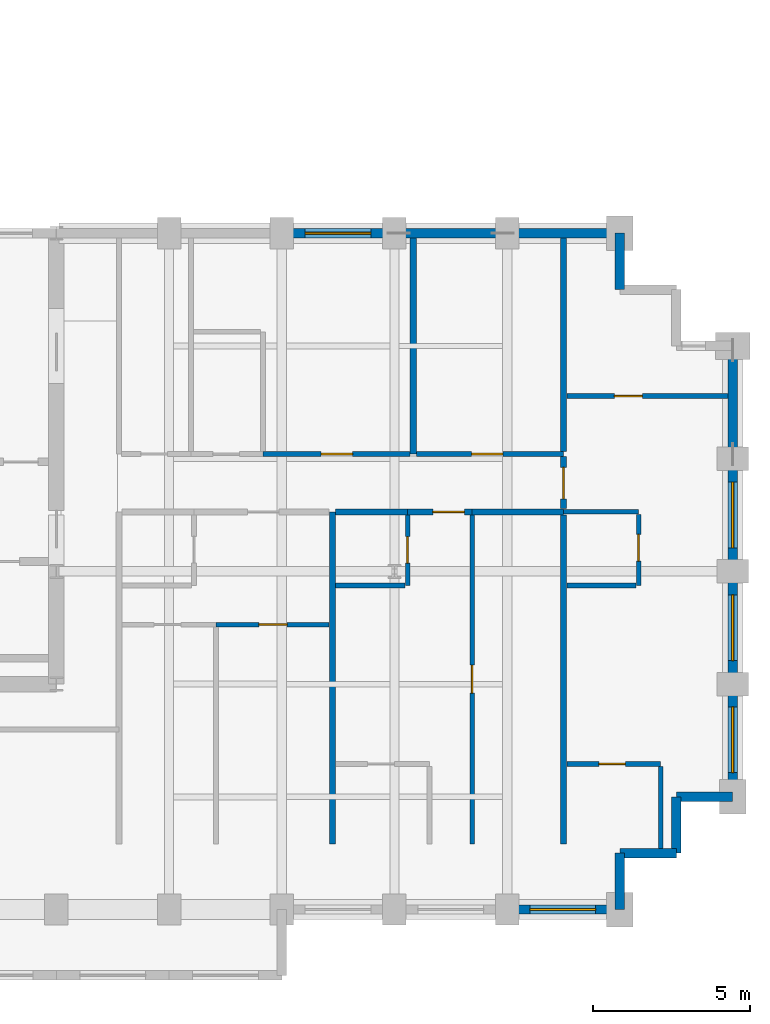
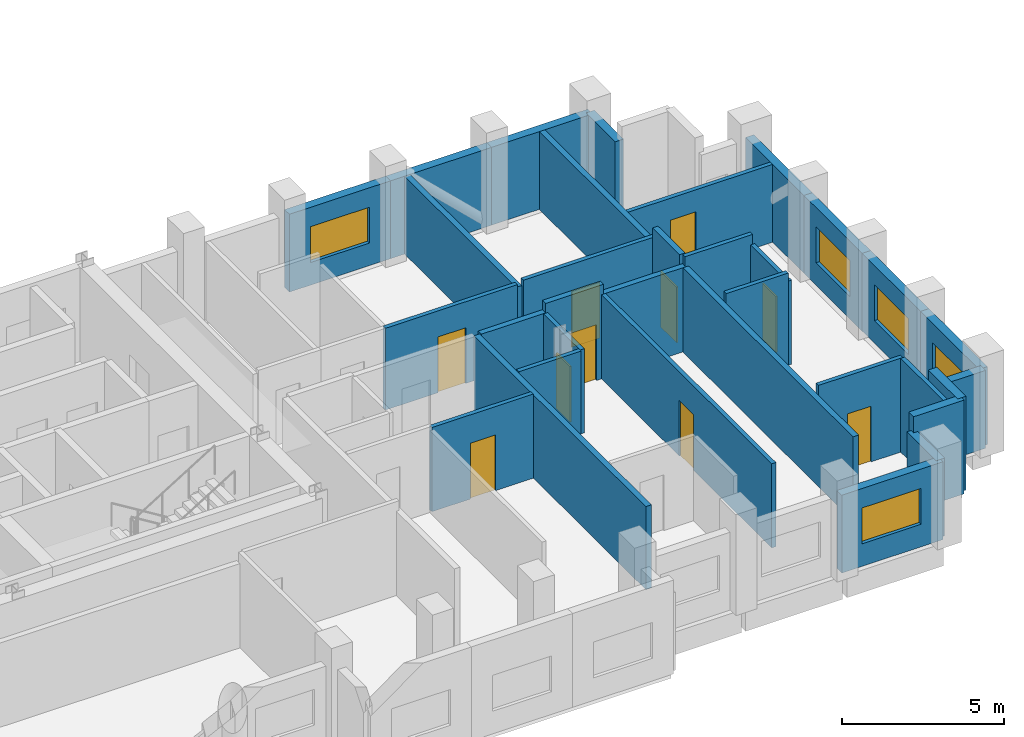
# One storey, part 6 of 9: 33 walls, 10 doors, 5 windows, 15 openings.
"""IFC4 building model written with IfcOpenShell, lengths in metres."""

from ifc_helpers import new_model, si_unit, direction, frame, frame_2d, origin, place, context, subcontext, project, spatial, rectangle, extrude, material, layer, layer_set, type_object, element, fill, save


model = new_model("IFC4")

# Units and contexts
model_context = context("Model", 3, precision=1e-05, world=origin(), true_north=direction((0.0, 1.0)))
body_context = subcontext(model_context, "Body", "Model", "MODEL_VIEW")
ifc_project = project(units=[si_unit("LENGTHUNIT", "METRE"), si_unit("AREAUNIT", "SQUARE_METRE"), si_unit("VOLUMEUNIT", "CUBIC_METRE"), si_unit("PLANEANGLEUNIT", "RADIAN"), si_unit("MASSUNIT", "GRAM", prefix="KILO")], contexts=[model_context])

# Site, building, storey
site_placement = place(None, origin())
site = spatial("IfcSite", under=ifc_project, at=site_placement, CompositionType="ELEMENT")
building_placement = place(site_placement, origin())
building = spatial("IfcBuilding", under=site, at=building_placement, Name="Solnavia Interchange Tower", CompositionType="ELEMENT")
storey_placement = place(building_placement, frame((0.0, 0.0, 139.0)))
storey = spatial("IfcBuildingStorey", under=building, at=storey_placement, Name="L34", CompositionType="ELEMENT", Elevation=139.0)

# Walls
ifc_material_1 = material(Name="Gypsum Acoustic Twin-Stud & Mineral Wool", Category="gypsum")
ifc_layer_1 = layer(ifc_material_1, 0.199951171875)
ifc_layer_set_1 = layer_set([ifc_layer_1], Name="Gypsum Acoustic Twin-Stud & Mineral Wool")
wall_type_1 = type_object("IfcWallType", Name="Wall-ApartmentParty-200", PredefinedType="PARTITIONING", material=ifc_layer_set_1)
wall_1_placement = place(storey_placement, frame((41.219970703125, 5.699951171875, 0.0), z_axis=(0.0, 0.0, 1.0), x_axis=(0.0, 1.0, 0.0)))
element("IfcWall", 1, at=wall_1_placement, inside=storey, type_object=wall_type_1, Name="PTW-L34-16 Interior partition wall", PredefinedType="PARTITIONING", context=body_context, shape_type="SweptSolid", body=[
    extrude(rectangle(XDim=10.60009765625, YDim=0.199951171875, at=frame_2d((5.300048828125, 0.0))), origin(), (0.0, 0.0, 1.0), 3.1298828125),
])
wall_2_placement = place(storey_placement, frame((41.323974609375, 16.300048828125, 0.0), z_axis=(0.0, 0.0, 1.0), x_axis=(1.0, 0.0, 0.0)))
element("IfcWall", 2, at=wall_2_placement, inside=storey, type_object=wall_type_1, Name="PTW-L34-24 Interior partition wall", PredefinedType="PARTITIONING", context=body_context, shape_type="SweptSolid", body=[
    extrude(rectangle(XDim=2.296142578125, YDim=0.199951171875, at=frame_2d((1.14794921875, 0.0))), origin(), (0.0, 0.0, 1.0), 3.179931640625),
])

# Wall, opening, door
wall_3_placement = place(storey_placement, frame((43.6201171875, 16.300048828125, 0.0), z_axis=(0.0, 0.0, 1.0), x_axis=(1.0, 0.0, 0.0)))
wall_3 = element("IfcWall", 3, at=wall_3_placement, inside=storey, type_object=wall_type_1, Name="PTW-L34-27 Interior partition wall", PredefinedType="PARTITIONING", context=body_context, shape_type="SweptSolid", body=[
    extrude(rectangle(XDim=2.059814453125, YDim=0.199951171875, at=frame_2d((1.02978515625, 0.0))), origin(), (0.0, 0.0, 1.0), 3.534912109375),
])
opening_1_placement = place(wall_3_placement, frame((0.81005859375, 0.0, 0.0)))
opening_1 = element("IfcOpeningElement", 4, at=opening_1_placement, cuts=wall_3, Name="Opening DR-06", PredefinedType="OPENING", context=body_context, shape_type="SweptSolid", body=[
    extrude(rectangle(XDim=1.0, YDim=2.10009765625, at=frame_2d((0.5, 1.050048828125))), frame((0.0, 0.10986328125, 0.0), z_axis=(0.0, -1.0, 0.0), x_axis=(1.0, 0.0, 0.0)), (0.0, 0.0, 1.0), 0.219970703125),
])
ifc_material_2 = material(Name="Engineered Timber Acoustic Fire Door", Category="wood")
door_type_1 = type_object("IfcDoorType", Name="Door-FlatEntry-1000x2100", OperationType="SINGLE_SWING_LEFT", PredefinedType="DOOR", material=ifc_material_2)
door_1_placement = place(opening_1_placement, origin())
door_1 = element("IfcDoor", 5, at=door_1_placement, inside=storey, type_object=door_type_1, Name="DR-L34-12 Interior room door", OperationType="SINGLE_SWING_LEFT", OverallHeight=2.10009765625, OverallWidth=1.0, PredefinedType="DOOR", context=body_context, shape_type="SweptSolid", body=[
    extrude(rectangle(XDim=1.0, YDim=2.10009765625, at=frame_2d((0.5, 1.050048828125))), frame((0.0, 0.02490234375, 0.0), z_axis=(0.0, -1.0, 0.0), x_axis=(1.0, 0.0, 0.0)), (0.0, 0.0, 1.0), 0.050048828125),
])
fill(opening_1, door_1)

# Walls
wall_4_placement = place(storey_placement, frame((45.679931640625, 16.300048828125, 0.0), z_axis=(0.0, 0.0, 1.0), x_axis=(1.0, 0.0, 0.0)))
element("IfcWall", 6, at=wall_4_placement, inside=storey, type_object=wall_type_1, Name="PTW-L34-28 Interior partition wall", PredefinedType="PARTITIONING", context=body_context, shape_type="SweptSolid", body=[
    extrude(rectangle(XDim=2.920166015625, YDim=0.199951171875, at=frame_2d((1.4599609375, 0.0))), origin(), (0.0, 0.0, 1.0), 3.169921875),
])
wall_5_placement = place(storey_placement, frame((43.800048828125, 18.14990234375, 0.0), z_axis=(0.0, 0.0, 1.0), x_axis=(0.0, 1.0, 0.0)))
element("IfcWall", 7, at=wall_5_placement, inside=storey, type_object=wall_type_1, Name="PTW-L34-32 Interior partition wall", PredefinedType="PARTITIONING", context=body_context, shape_type="SweptSolid", body=[
    extrude(rectangle(XDim=6.89599609375, YDim=0.199951171875, at=frame_2d((3.447998046875, 0.0))), origin(), (0.0, 0.0, 1.0), 2.929931640625),
])
wall_6_placement = place(storey_placement, frame((48.60009765625, 5.699951171875, 0.0), z_axis=(0.0, 0.0, 1.0), x_axis=(0.0, 1.0, 0.0)))
element("IfcWall", 8, at=wall_6_placement, inside=storey, type_object=wall_type_1, Name="PTW-L34-35 Interior partition wall", PredefinedType="PARTITIONING", context=body_context, shape_type="SweptSolid", body=[
    extrude(rectangle(XDim=10.49609375, YDim=0.199951171875, at=frame_2d((5.248046875, 0.0))), origin(), (0.0, 0.0, 1.0), 3.169921875),
])
wall_7_placement = place(storey_placement, frame((48.60009765625, 18.22900390625, 0.0), z_axis=(0.0, 0.0, 1.0), x_axis=(0.0, 1.0, 0.0)))
element("IfcWall", 9, at=wall_7_placement, inside=storey, type_object=wall_type_1, Name="PTW-L34-36 Interior partition wall", PredefinedType="PARTITIONING", context=body_context, shape_type="SweptSolid", body=[
    extrude(rectangle(XDim=6.81689453125, YDim=0.199951171875, at=frame_2d((3.408447265625, 0.0))), origin(), (0.0, 0.0, 1.0), 2.929931640625),
])

# Wall, opening, door
wall_8_placement = place(storey_placement, frame((48.60009765625, 16.404052734375, 0.0), z_axis=(0.0, 0.0, 1.0), x_axis=(0.0, 1.0, 0.0)))
wall_8 = element("IfcWall", 10, at=wall_8_placement, inside=storey, type_object=wall_type_1, Name="PTW-L34-37 Interior partition wall", PredefinedType="PARTITIONING", context=body_context, shape_type="SweptSolid", body=[
    extrude(rectangle(XDim=1.6669921875, YDim=0.199951171875, at=frame_2d((0.83349609375, 0.0))), origin(), (0.0, 0.0, 1.0), 3.534912109375),
])
opening_2_placement = place(wall_8_placement, frame((0.31396484375, 0.0, 0.0)))
opening_2 = element("IfcOpeningElement", 11, at=opening_2_placement, cuts=wall_8, Name="Opening DR-06", PredefinedType="OPENING", context=body_context, shape_type="SweptSolid", body=[
    extrude(rectangle(XDim=1.0, YDim=2.10009765625, at=frame_2d((0.5, 1.050048828125))), frame((0.0, 0.10986328125, 0.0), z_axis=(0.0, -1.0, 0.0), x_axis=(1.0, 0.0, 0.0)), (0.0, 0.0, 1.0), 0.219970703125),
])
door_2_placement = place(opening_2_placement, origin())
door_2 = element("IfcDoor", 12, at=door_2_placement, inside=storey, type_object=door_type_1, Name="DR-L34-17 Interior room door", OperationType="SINGLE_SWING_RIGHT", OverallHeight=2.10009765625, OverallWidth=1.0, PredefinedType="DOOR", context=body_context, shape_type="SweptSolid", body=[
    extrude(rectangle(XDim=1.0, YDim=2.10009765625, at=frame_2d((0.5, 1.050048828125))), frame((0.0, 0.02490234375, 0.0), z_axis=(0.0, -1.0, 0.0), x_axis=(1.0, 0.0, 0.0)), (0.0, 0.0, 1.0), 0.050048828125),
])
fill(opening_2, door_2)

# Wall, opening, window
ifc_material_3 = material(Name="Concrete C40/50", Category="concrete")
ifc_layer_2 = layer(ifc_material_3, 0.300048828125)
ifc_layer_set_2 = layer_set([ifc_layer_2], Name="Concrete C40/50")
wall_type_2 = type_object("IfcWallType", Name="Wall-ExtSpandrel-300", PredefinedType="STANDARD", material=ifc_layer_set_2)
wall_9_placement = place(storey_placement, frame((50.39990234375, 3.60009765625, 0.0), z_axis=(0.0, 0.0, 1.0), x_axis=(-1.0, 0.0, 0.0)))
wall_9 = element("IfcWall", 13, at=wall_9_placement, inside=storey, type_object=wall_type_2, Name="EXW-L34-09 Exterior precast spandrel wall", PredefinedType="STANDARD", context=body_context, shape_type="SweptSolid", body=[
    extrude(rectangle(XDim=3.599853515625, YDim=0.300048828125, at=frame_2d((1.7998046875, 0.0))), origin(), (0.0, 0.0, 1.0), 2.929931640625),
])
opening_3_placement = place(wall_9_placement, frame((0.77490234375, 0.0, 0.85009765625)))
opening_3 = element("IfcOpeningElement", 14, at=opening_3_placement, cuts=wall_9, Name="Opening WIN-01", PredefinedType="OPENING", context=body_context, shape_type="SweptSolid", body=[
    extrude(rectangle(XDim=2.10009765625, YDim=1.35009765625, at=frame_2d((1.050048828125, 0.675048828125))), frame((0.0, 0.16015625, 0.0), z_axis=(0.0, -1.0, 0.0), x_axis=(1.0, 0.0, 0.0)), (0.0, 0.0, 1.0), 0.320068359375),
])
ifc_material_4 = material(Name="Thermal-Break Aluminium & Low-E Glass", Category="aluminium")
window_type = type_object("IfcWindowType", Name="Window-Ribbon-2100x1350", PartitioningType="SINGLE_PANEL", PredefinedType="WINDOW", material=ifc_material_4)
window_1_placement = place(opening_3_placement, origin())
window_1 = element("IfcWindow", 15, at=window_1_placement, inside=storey, type_object=window_type, Name="WIN-L34-09 Facade ribbon window", OverallHeight=1.35009765625, OverallWidth=2.10009765625, PartitioningType="SINGLE_PANEL", PredefinedType="WINDOW", context=body_context, shape_type="SweptSolid", body=[
    extrude(rectangle(XDim=2.10009765625, YDim=1.35009765625, at=frame_2d((1.050048828125, 0.675048828125))), frame((0.0, 0.030029296875, 0.0), z_axis=(0.0, -1.0, 0.0), x_axis=(1.0, 0.0, 0.0)), (0.0, 0.0, 1.0), 0.06005859375),
])
fill(opening_3, window_1)

# Walls
wall_10_placement = place(storey_placement, frame((50.39990234375, 5.39990234375, 0.0), z_axis=(0.0, 0.0, 1.0), x_axis=(0.0, -1.0, 0.0)))
element("IfcWall", 16, at=wall_10_placement, inside=storey, type_object=wall_type_2, Name="EXW-L34-10 Exterior precast spandrel wall", PredefinedType="STANDARD", context=body_context, shape_type="SweptSolid", body=[
    extrude(rectangle(XDim=1.7998046875, YDim=0.300048828125, at=frame_2d((0.89990234375, 0.0))), origin(), (0.0, 0.0, 1.0), 2.929931640625),
])
for number, where, z_axis, x_axis, name in (
    (17, (52.199951171875, 5.39990234375, 0.0), (0.0, 0.0, 1.0), (-1.0, 0.0, 0.0), "EXW-L34-11 Exterior precast spandrel wall"),
    (18, (52.199951171875, 7.199951171875, 0.0), (0.0, 0.0, 1.0), (0.0, -1.0, 0.0), "EXW-L34-12 Exterior precast spandrel wall"),
):
    element("IfcWall", number, at=place(storey_placement, frame(where, z_axis=z_axis, x_axis=x_axis)), inside=storey, type_object=wall_type_2, Name=name, PredefinedType="STANDARD", context=body_context, shape_type="SweptSolid", body=[
        extrude(rectangle(XDim=1.800048828125, YDim=0.300048828125, at=frame_2d((0.89990234375, 0.0))), origin(), (0.0, 0.0, 1.0), 3.534912109375),
    ])
wall_11_placement = place(storey_placement, frame((54.0, 7.199951171875, 0.0), z_axis=(0.0, 0.0, 1.0), x_axis=(-1.0, 0.0, 0.0)))
element("IfcWall", 19, at=wall_11_placement, inside=storey, type_object=wall_type_2, Name="EXW-L34-13 Exterior precast spandrel wall", PredefinedType="STANDARD", context=body_context, shape_type="SweptSolid", body=[
    extrude(rectangle(XDim=1.800048828125, YDim=0.300048828125, at=frame_2d((0.89990234375, 0.0))), origin(), (0.0, 0.0, 1.0), 2.929931640625),
])

# Wall, opening, window
wall_12_placement = place(storey_placement, frame((54.0, 10.800048828125, 0.0), z_axis=(0.0, 0.0, 1.0), x_axis=(0.0, -1.0, 0.0)))
wall_12 = element("IfcWall", 20, at=wall_12_placement, inside=storey, type_object=wall_type_2, Name="EXW-L34-14 Exterior precast spandrel wall", PredefinedType="STANDARD", context=body_context, shape_type="SweptSolid", body=[
    extrude(rectangle(XDim=3.60009765625, YDim=0.300048828125, at=frame_2d((1.800048828125, 0.0))), origin(), (0.0, 0.0, 1.0), 2.929931640625),
])
opening_4_placement = place(wall_12_placement, frame((0.72509765625, 0.0, 0.85009765625)))
opening_4 = element("IfcOpeningElement", 21, at=opening_4_placement, cuts=wall_12, Name="Opening WIN-01", PredefinedType="OPENING", context=body_context, shape_type="SweptSolid", body=[
    extrude(rectangle(XDim=2.10009765625, YDim=1.35009765625, at=frame_2d((1.050048828125, 0.675048828125))), frame((0.0, 0.16015625, 0.0), z_axis=(0.0, -1.0, 0.0), x_axis=(1.0, 0.0, 0.0)), (0.0, 0.0, 1.0), 0.320068359375),
])
window_2_placement = place(opening_4_placement, origin())
window_2 = element("IfcWindow", 22, at=window_2_placement, inside=storey, type_object=window_type, Name="WIN-L34-14 Facade ribbon window", OverallHeight=1.35009765625, OverallWidth=2.10009765625, PartitioningType="SINGLE_PANEL", PredefinedType="WINDOW", context=body_context, shape_type="SweptSolid", body=[
    extrude(rectangle(XDim=2.10009765625, YDim=1.35009765625, at=frame_2d((1.050048828125, 0.675048828125))), frame((0.0, 0.030029296875, 0.0), z_axis=(0.0, -1.0, 0.0), x_axis=(1.0, 0.0, 0.0)), (0.0, 0.0, 1.0), 0.06005859375),
])
fill(opening_4, window_2)

wall_13_placement = place(storey_placement, frame((54.0, 14.39990234375, 0.0), z_axis=(0.0, 0.0, 1.0), x_axis=(0.0, -1.0, 0.0)))
wall_13 = element("IfcWall", 23, at=wall_13_placement, inside=storey, type_object=wall_type_2, Name="EXW-L34-15 Exterior precast spandrel wall", PredefinedType="STANDARD", context=body_context, shape_type="SweptSolid", body=[
    extrude(rectangle(XDim=3.599853515625, YDim=0.300048828125, at=frame_2d((1.7998046875, 0.0))), origin(), (0.0, 0.0, 1.0), 2.929931640625),
])
opening_5_placement = place(wall_13_placement, frame((0.75, 0.0, 0.85009765625)))
opening_5 = element("IfcOpeningElement", 24, at=opening_5_placement, cuts=wall_13, Name="Opening WIN-01", PredefinedType="OPENING", context=body_context, shape_type="SweptSolid", body=[
    extrude(rectangle(XDim=2.10009765625, YDim=1.35009765625, at=frame_2d((1.050048828125, 0.675048828125))), frame((0.0, 0.16015625, 0.0), z_axis=(0.0, -1.0, 0.0), x_axis=(1.0, 0.0, 0.0)), (0.0, 0.0, 1.0), 0.320068359375),
])
window_3_placement = place(opening_5_placement, origin())
window_3 = element("IfcWindow", 25, at=window_3_placement, inside=storey, type_object=window_type, Name="WIN-L34-15 Facade ribbon window", OverallHeight=1.35009765625, OverallWidth=2.10009765625, PartitioningType="SINGLE_PANEL", PredefinedType="WINDOW", context=body_context, shape_type="SweptSolid", body=[
    extrude(rectangle(XDim=2.10009765625, YDim=1.35009765625, at=frame_2d((1.050048828125, 0.675048828125))), frame((0.0, 0.030029296875, 0.0), z_axis=(0.0, -1.0, 0.0), x_axis=(1.0, 0.0, 0.0)), (0.0, 0.0, 1.0), 0.06005859375),
])
fill(opening_5, window_3)

wall_14_placement = place(storey_placement, frame((54.0, 18.0, 0.0), z_axis=(0.0, 0.0, 1.0), x_axis=(0.0, -1.0, 0.0)))
wall_14 = element("IfcWall", 26, at=wall_14_placement, inside=storey, type_object=wall_type_2, Name="EXW-L34-16 Exterior precast spandrel wall", PredefinedType="STANDARD", context=body_context, shape_type="SweptSolid", body=[
    extrude(rectangle(XDim=3.60009765625, YDim=0.300048828125, at=frame_2d((1.800048828125, 0.0))), origin(), (0.0, 0.0, 1.0), 2.929931640625),
])
opening_6_placement = place(wall_14_placement, frame((0.75, 0.0, 0.85009765625)))
opening_6 = element("IfcOpeningElement", 27, at=opening_6_placement, cuts=wall_14, Name="Opening WIN-01", PredefinedType="OPENING", context=body_context, shape_type="SweptSolid", body=[
    extrude(rectangle(XDim=2.10009765625, YDim=1.35009765625, at=frame_2d((1.050048828125, 0.675048828125))), frame((0.0, 0.16015625, 0.0), z_axis=(0.0, -1.0, 0.0), x_axis=(1.0, 0.0, 0.0)), (0.0, 0.0, 1.0), 0.320068359375),
])
window_4_placement = place(opening_6_placement, origin())
window_4 = element("IfcWindow", 28, at=window_4_placement, inside=storey, type_object=window_type, Name="WIN-L34-16 Facade ribbon window", OverallHeight=1.35009765625, OverallWidth=2.10009765625, PartitioningType="SINGLE_PANEL", PredefinedType="WINDOW", context=body_context, shape_type="SweptSolid", body=[
    extrude(rectangle(XDim=2.10009765625, YDim=1.35009765625, at=frame_2d((1.050048828125, 0.675048828125))), frame((0.0, 0.030029296875, 0.0), z_axis=(0.0, -1.0, 0.0), x_axis=(1.0, 0.0, 0.0)), (0.0, 0.0, 1.0), 0.06005859375),
])
fill(opening_6, window_4)

# Walls
wall_15_placement = place(storey_placement, frame((54.0, 21.60009765625, 0.0), z_axis=(0.0, 0.0, 1.0), x_axis=(0.0, -1.0, 0.0)))
element("IfcWall", 29, at=wall_15_placement, inside=storey, type_object=wall_type_2, Name="EXW-L34-17 Exterior precast spandrel wall", PredefinedType="STANDARD", context=body_context, shape_type="SweptSolid", body=[
    extrude(rectangle(XDim=3.60009765625, YDim=0.300048828125, at=frame_2d((1.800048828125, 0.0))), origin(), (0.0, 0.0, 1.0), 2.929931640625),
])
wall_16_placement = place(storey_placement, frame((50.39990234375, 25.199951171875, 0.0), z_axis=(0.0, 0.0, 1.0), x_axis=(0.0, -1.0, 0.0)))
element("IfcWall", 30, at=wall_16_placement, inside=storey, type_object=wall_type_2, Name="EXW-L34-21 Exterior precast spandrel wall", PredefinedType="STANDARD", context=body_context, shape_type="SweptSolid", body=[
    extrude(rectangle(XDim=1.800048828125, YDim=0.300048828125, at=frame_2d((0.89990234375, 0.0))), origin(), (0.0, 0.0, 1.0), 2.929931640625),
])
wall_17_placement = place(storey_placement, frame((46.800048828125, 25.199951171875, 0.0), z_axis=(0.0, 0.0, 1.0), x_axis=(1.0, 0.0, 0.0)))
element("IfcWall", 31, at=wall_17_placement, inside=storey, type_object=wall_type_2, Name="EXW-L34-22 Exterior precast spandrel wall", PredefinedType="STANDARD", context=body_context, shape_type="SweptSolid", body=[
    extrude(rectangle(XDim=3.599853515625, YDim=0.300048828125, at=frame_2d((1.7998046875, 0.0))), origin(), (0.0, 0.0, 1.0), 2.929931640625),
])
wall_18_placement = place(storey_placement, frame((43.199951171875, 25.199951171875, 0.0), z_axis=(0.0, 0.0, 1.0), x_axis=(1.0, 0.0, 0.0)))
element("IfcWall", 32, at=wall_18_placement, inside=storey, type_object=wall_type_2, Name="EXW-L34-23 Exterior precast spandrel wall", PredefinedType="STANDARD", context=body_context, shape_type="SweptSolid", body=[
    extrude(rectangle(XDim=3.60009765625, YDim=0.300048828125, at=frame_2d((1.800048828125, 0.0))), origin(), (0.0, 0.0, 1.0), 2.929931640625),
])

# Wall, opening, window
wall_19_placement = place(storey_placement, frame((39.60009765625, 25.199951171875, 0.0), z_axis=(0.0, 0.0, 1.0), x_axis=(1.0, 0.0, 0.0)))
wall_19 = element("IfcWall", 33, at=wall_19_placement, inside=storey, type_object=wall_type_2, Name="EXW-L34-24 Exterior precast spandrel wall", PredefinedType="STANDARD", context=body_context, shape_type="SweptSolid", body=[
    extrude(rectangle(XDim=3.599853515625, YDim=0.300048828125, at=frame_2d((1.7998046875, 0.0))), origin(), (0.0, 0.0, 1.0), 2.929931640625),
])
opening_7_placement = place(wall_19_placement, frame((0.75, 0.0, 0.85009765625)))
opening_7 = element("IfcOpeningElement", 34, at=opening_7_placement, cuts=wall_19, Name="Opening WIN-01", PredefinedType="OPENING", context=body_context, shape_type="SweptSolid", body=[
    extrude(rectangle(XDim=2.10009765625, YDim=1.35009765625, at=frame_2d((1.050048828125, 0.675048828125))), frame((0.0, 0.16015625, 0.0), z_axis=(0.0, -1.0, 0.0), x_axis=(1.0, 0.0, 0.0)), (0.0, 0.0, 1.0), 0.320068359375),
])
window_5_placement = place(opening_7_placement, origin())
window_5 = element("IfcWindow", 35, at=window_5_placement, inside=storey, type_object=window_type, Name="WIN-L34-24 Facade ribbon window", OverallHeight=1.35009765625, OverallWidth=2.10009765625, PartitioningType="SINGLE_PANEL", PredefinedType="WINDOW", context=body_context, shape_type="SweptSolid", body=[
    extrude(rectangle(XDim=2.10009765625, YDim=1.35009765625, at=frame_2d((1.050048828125, 0.675048828125))), frame((0.0, 0.030029296875, 0.0), z_axis=(0.0, -1.0, 0.0), x_axis=(1.0, 0.0, 0.0)), (0.0, 0.0, 1.0), 0.06005859375),
])
fill(opening_7, window_5)

# Wall, opening, door
ifc_material_5 = material(Name="Gypsum Plasterboard & Steel Stud", Category="steel")
ifc_layer_3 = layer(ifc_material_5, 0.14990234375)
ifc_layer_set_3 = layer_set([ifc_layer_3], Name="Gypsum Plasterboard & Steel Stud")
wall_type_3 = type_object("IfcWallType", Name="Wall-Partition-150", PredefinedType="PARTITIONING", material=ifc_layer_set_3)
wall_20_placement = place(storey_placement, frame((37.5, 12.699951171875, 0.0), z_axis=(0.0, 0.0, 1.0), x_axis=(1.0, 0.0, 0.0)))
wall_20 = element("IfcWall", 36, at=wall_20_placement, inside=storey, type_object=wall_type_3, Name="PTW-L34-21 Interior partition wall", PredefinedType="PARTITIONING", context=body_context, shape_type="SweptSolid", body=[
    extrude(rectangle(XDim=3.615966796875, YDim=0.14990234375, at=frame_2d((1.80810546875, 0.0))), origin(), (0.0, 0.0, 1.0), 3.169921875),
])
opening_8_placement = place(wall_20_placement, frame((1.37109375, 0.0, 0.0)))
opening_8 = element("IfcOpeningElement", 37, at=opening_8_placement, cuts=wall_20, Name="Opening DR-09", PredefinedType="OPENING", context=body_context, shape_type="SweptSolid", body=[
    extrude(rectangle(XDim=0.89990234375, YDim=2.10009765625, at=frame_2d((0.449951171875, 1.050048828125))), frame((0.0, 0.0849609375, 0.0), z_axis=(0.0, -1.0, 0.0), x_axis=(1.0, 0.0, 0.0)), (0.0, 0.0, 1.0), 0.169921875),
])
ifc_material_6 = material(Name="Engineered Oak Veneer Door", Category="wood")
door_type_2 = type_object("IfcDoorType", Name="Door-Internal-900x2100", OperationType="SINGLE_SWING_LEFT", PredefinedType="DOOR", material=ifc_material_6)
door_3_placement = place(opening_8_placement, origin())
door_3 = element("IfcDoor", 38, at=door_3_placement, inside=storey, type_object=door_type_2, Name="DR-L34-09 Interior room door", OperationType="SINGLE_SWING_RIGHT", OverallHeight=2.10009765625, OverallWidth=0.89990234375, PredefinedType="DOOR", context=body_context, shape_type="SweptSolid", body=[
    extrude(rectangle(XDim=0.89990234375, YDim=2.10009765625, at=frame_2d((0.449951171875, 1.050048828125))), frame((0.0, 0.02490234375, 0.0), z_axis=(0.0, -1.0, 0.0), x_axis=(1.0, 0.0, 0.0)), (0.0, 0.0, 1.0), 0.050048828125),
])
fill(opening_8, door_3)

wall_21_placement = place(storey_placement, frame((45.679931640625, 5.699951171875, 0.0), z_axis=(0.0, 0.0, 1.0), x_axis=(0.0, 1.0, 0.0)))
wall_21 = element("IfcWall", 39, at=wall_21_placement, inside=storey, type_object=wall_type_3, Name="PTW-L34-29 Interior partition wall", PredefinedType="PARTITIONING", context=body_context, shape_type="SweptSolid", body=[
    extrude(rectangle(XDim=10.49609375, YDim=0.14990234375, at=frame_2d((5.248046875, 0.0))), origin(), (0.0, 0.0, 1.0), 3.169921875),
])
opening_9_placement = place(wall_21_placement, frame((4.81005859375, 0.0, 0.0)))
opening_9 = element("IfcOpeningElement", 40, at=opening_9_placement, cuts=wall_21, Name="Opening DR-09", PredefinedType="OPENING", context=body_context, shape_type="SweptSolid", body=[
    extrude(rectangle(XDim=0.89990234375, YDim=2.10009765625, at=frame_2d((0.449951171875, 1.050048828125))), frame((0.0, 0.0849609375, 0.0), z_axis=(0.0, -1.0, 0.0), x_axis=(1.0, 0.0, 0.0)), (0.0, 0.0, 1.0), 0.169921875),
])
door_4_placement = place(opening_9_placement, origin())
door_4 = element("IfcDoor", 41, at=door_4_placement, inside=storey, type_object=door_type_2, Name="DR-L34-13 Interior room door", OperationType="SINGLE_SWING_RIGHT", OverallHeight=2.10009765625, OverallWidth=0.89990234375, PredefinedType="DOOR", context=body_context, shape_type="SweptSolid", body=[
    extrude(rectangle(XDim=0.89990234375, YDim=2.10009765625, at=frame_2d((0.449951171875, 1.050048828125))), frame((0.0, 0.02490234375, 0.0), z_axis=(0.0, -1.0, 0.0), x_axis=(1.0, 0.0, 0.0)), (0.0, 0.0, 1.0), 0.050048828125),
])
fill(opening_9, door_4)

wall_22_placement = place(storey_placement, frame((39.0, 18.14990234375, 0.0), z_axis=(0.0, 0.0, 1.0), x_axis=(1.0, 0.0, 0.0)))
wall_22 = element("IfcWall", 42, at=wall_22_placement, inside=storey, type_object=wall_type_3, Name="PTW-L34-33 Interior partition wall", PredefinedType="PARTITIONING", context=body_context, shape_type="SweptSolid", body=[
    extrude(rectangle(XDim=4.696044921875, YDim=0.14990234375, at=frame_2d((2.34814453125, 0.0))), origin(), (0.0, 0.0, 1.0), 3.080078125),
])
opening_10_placement = place(wall_22_placement, frame((1.861083984375, 0.0, 0.0)))
opening_10 = element("IfcOpeningElement", 43, at=opening_10_placement, cuts=wall_22, Name="Opening DR-07", PredefinedType="OPENING", context=body_context, shape_type="SweptSolid", body=[
    extrude(rectangle(XDim=1.0, YDim=2.10009765625, at=frame_2d((0.5, 1.050048828125))), frame((0.0, 0.0849609375, 0.0), z_axis=(0.0, -1.0, 0.0), x_axis=(1.0, 0.0, 0.0)), (0.0, 0.0, 1.0), 0.169921875),
])
ifc_material_7 = material(Name="Timber & Acoustic Glazed Office Door", Category="wood")
door_type_3 = type_object("IfcDoorType", Name="Door-Office-1000x2100", OperationType="SINGLE_SWING_RIGHT", PredefinedType="DOOR", material=ifc_material_7)
door_5_placement = place(opening_10_placement, origin())
door_5 = element("IfcDoor", 44, at=door_5_placement, inside=storey, type_object=door_type_3, Name="DR-L34-15 Interior room door", OperationType="SINGLE_SWING_RIGHT", OverallHeight=2.10009765625, OverallWidth=1.0, PredefinedType="DOOR", context=body_context, shape_type="SweptSolid", body=[
    extrude(rectangle(XDim=1.0, YDim=2.10009765625, at=frame_2d((0.5, 1.050048828125))), frame((0.0, 0.02490234375, 0.0), z_axis=(0.0, -1.0, 0.0), x_axis=(1.0, 0.0, 0.0)), (0.0, 0.0, 1.0), 0.050048828125),
])
fill(opening_10, door_5)

wall_23_placement = place(storey_placement, frame((43.904052734375, 18.14990234375, 0.0), z_axis=(0.0, 0.0, 1.0), x_axis=(1.0, 0.0, 0.0)))
wall_23 = element("IfcWall", 45, at=wall_23_placement, inside=storey, type_object=wall_type_3, Name="PTW-L34-34 Interior partition wall", PredefinedType="PARTITIONING", context=body_context, shape_type="SweptSolid", body=[
    extrude(rectangle(XDim=4.696044921875, YDim=0.14990234375, at=frame_2d((2.34814453125, 0.0))), origin(), (0.0, 0.0, 1.0), 3.169921875),
])
opening_11_placement = place(wall_23_placement, frame((1.757080078125, 0.0, 0.0)))
opening_11 = element("IfcOpeningElement", 46, at=opening_11_placement, cuts=wall_23, Name="Opening DR-07", PredefinedType="OPENING", context=body_context, shape_type="SweptSolid", body=[
    extrude(rectangle(XDim=1.0, YDim=2.10009765625, at=frame_2d((0.5, 1.050048828125))), frame((0.0, 0.0849609375, 0.0), z_axis=(0.0, -1.0, 0.0), x_axis=(1.0, 0.0, 0.0)), (0.0, 0.0, 1.0), 0.169921875),
])
door_6_placement = place(opening_11_placement, origin())
door_6 = element("IfcDoor", 47, at=door_6_placement, inside=storey, type_object=door_type_3, Name="DR-L34-16 Interior room door", OperationType="SINGLE_SWING_RIGHT", OverallHeight=2.10009765625, OverallWidth=1.0, PredefinedType="DOOR", context=body_context, shape_type="SweptSolid", body=[
    extrude(rectangle(XDim=1.0, YDim=2.10009765625, at=frame_2d((0.5, 1.050048828125))), frame((0.0, 0.02490234375, 0.0), z_axis=(0.0, -1.0, 0.0), x_axis=(1.0, 0.0, 0.0)), (0.0, 0.0, 1.0), 0.050048828125),
])
fill(opening_11, door_6)

wall_24_placement = place(storey_placement, frame((48.7041015625, 20.0, 0.0), z_axis=(0.0, 0.0, 1.0), x_axis=(1.0, 0.0, 0.0)))
wall_24 = element("IfcWall", 48, at=wall_24_placement, inside=storey, type_object=wall_type_3, Name="PTW-L34-41 Interior partition wall", PredefinedType="PARTITIONING", context=body_context, shape_type="SweptSolid", body=[
    extrude(rectangle(XDim=5.141845703125, YDim=0.14990234375, at=frame_2d((2.57080078125, 0.0))), origin(), (0.0, 0.0, 1.0), 2.929931640625),
])
opening_12_placement = place(wall_24_placement, frame((1.51611328125, 0.0, 0.0)))
opening_12 = element("IfcOpeningElement", 49, at=opening_12_placement, cuts=wall_24, Name="Opening DR-09", PredefinedType="OPENING", context=body_context, shape_type="SweptSolid", body=[
    extrude(rectangle(XDim=0.89990234375, YDim=2.10009765625, at=frame_2d((0.449951171875, 1.050048828125))), frame((0.0, 0.0849609375, 0.0), z_axis=(0.0, -1.0, 0.0), x_axis=(1.0, 0.0, 0.0)), (0.0, 0.0, 1.0), 0.169921875),
])
door_7_placement = place(opening_12_placement, origin())
door_7 = element("IfcDoor", 50, at=door_7_placement, inside=storey, type_object=door_type_2, Name="DR-L34-19 Interior room door", OperationType="SINGLE_SWING_LEFT", OverallHeight=2.10009765625, OverallWidth=0.89990234375, PredefinedType="DOOR", context=body_context, shape_type="SweptSolid", body=[
    extrude(rectangle(XDim=0.89990234375, YDim=2.10009765625, at=frame_2d((0.449951171875, 1.050048828125))), frame((0.0, 0.02490234375, 0.0), z_axis=(0.0, -1.0, 0.0), x_axis=(1.0, 0.0, 0.0)), (0.0, 0.0, 1.0), 0.050048828125),
])
fill(opening_12, door_7)

ifc_material_8 = material(Name="Moisture-Resistant Gypsum & Steel Stud", Category="steel")
ifc_layer_4 = layer(ifc_material_8, 0.14990234375)
ifc_layer_set_4 = layer_set([ifc_layer_4], Name="Moisture-Resistant Gypsum & Steel Stud")
wall_type_4 = type_object("IfcWallType", Name="Wall-WetRoom-150", PredefinedType="PARTITIONING", material=ifc_layer_set_4)
wall_25_placement = place(storey_placement, frame((43.6201171875, 13.949951171875, 0.0), z_axis=(0.0, 0.0, 1.0), x_axis=(0.0, 1.0, 0.0)))
wall_25 = element("IfcWall", 51, at=wall_25_placement, inside=storey, type_object=wall_type_4, Name="PTW-L34-25 Interior partition wall", PredefinedType="PARTITIONING", context=body_context, shape_type="SweptSolid", body=[
    extrude(rectangle(XDim=2.24609375, YDim=0.14990234375, at=frame_2d((1.123046875, 0.0))), origin(), (0.0, 0.0, 1.0), 3.169921875),
])
opening_13_placement = place(wall_25_placement, frame((0.7119140625, 0.0, 0.0)))
opening_13 = element("IfcOpeningElement", 52, at=opening_13_placement, cuts=wall_25, Name="Opening DR-10", PredefinedType="OPENING", context=body_context, shape_type="SweptSolid", body=[
    extrude(rectangle(XDim=0.85009765625, YDim=2.10009765625, at=frame_2d((0.425048828125, 1.050048828125))), frame((0.0, 0.0849609375, 0.0), z_axis=(0.0, -1.0, 0.0), x_axis=(1.0, 0.0, 0.0)), (0.0, 0.0, 1.0), 0.169921875),
])
ifc_material_9 = material(Name="Moisture-Resistant Timber Door", Category="wood")
door_type_4 = type_object("IfcDoorType", Name="Door-Bathroom-850x2100", OperationType="SINGLE_SWING_RIGHT", PredefinedType="DOOR", material=ifc_material_9)
door_8_placement = place(opening_13_placement, origin())
door_8 = element("IfcDoor", 53, at=door_8_placement, inside=storey, type_object=door_type_4, Name="DR-L34-11 Interior room door", OperationType="SINGLE_SWING_RIGHT", OverallHeight=2.10009765625, OverallWidth=0.85009765625, PredefinedType="DOOR", context=body_context, shape_type="SweptSolid", body=[
    extrude(rectangle(XDim=0.85009765625, YDim=2.10009765625, at=frame_2d((0.425048828125, 1.050048828125))), frame((0.0, 0.02490234375, 0.0), z_axis=(0.0, -1.0, 0.0), x_axis=(1.0, 0.0, 0.0)), (0.0, 0.0, 1.0), 0.050048828125),
])
fill(opening_13, door_8)

# Walls
wall_26_placement = place(storey_placement, frame((41.323974609375, 13.949951171875, 0.0), z_axis=(0.0, 0.0, 1.0), x_axis=(1.0, 0.0, 0.0)))
element("IfcWall", 54, at=wall_26_placement, inside=storey, type_object=wall_type_4, Name="PTW-L34-26 Interior partition wall", PredefinedType="PARTITIONING", context=body_context, shape_type="SweptSolid", body=[
    extrude(rectangle(XDim=2.217041015625, YDim=0.14990234375, at=frame_2d((1.1083984375, 0.0))), origin(), (0.0, 0.0, 1.0), 3.179931640625),
])
wall_27_placement = place(storey_placement, frame((48.60009765625, 16.300048828125, 0.0), z_axis=(0.0, 0.0, 1.0), x_axis=(1.0, 0.0, 0.0)))
element("IfcWall", 55, at=wall_27_placement, inside=storey, type_object=wall_type_4, Name="PTW-L34-38 Interior partition wall", PredefinedType="PARTITIONING", context=body_context, shape_type="SweptSolid", body=[
    extrude(rectangle(XDim=2.39990234375, YDim=0.14990234375, at=frame_2d((1.199951171875, 0.0))), origin(), (0.0, 0.0, 1.0), 3.534912109375),
])

# Wall, opening, door
wall_28_placement = place(storey_placement, frame((51.0, 13.949951171875, 0.0), z_axis=(0.0, 0.0, 1.0), x_axis=(0.0, 1.0, 0.0)))
wall_28 = element("IfcWall", 56, at=wall_28_placement, inside=storey, type_object=wall_type_4, Name="PTW-L34-39 Interior partition wall", PredefinedType="PARTITIONING", context=body_context, shape_type="SweptSolid", body=[
    extrude(rectangle(XDim=2.27099609375, YDim=0.14990234375, at=frame_2d((1.135498046875, 0.0))), origin(), (0.0, 0.0, 1.0), 3.169921875),
])
opening_14_placement = place(wall_28_placement, frame((0.780029296875, 0.0, 0.0)))
opening_14 = element("IfcOpeningElement", 57, at=opening_14_placement, cuts=wall_28, Name="Opening DR-10", PredefinedType="OPENING", context=body_context, shape_type="SweptSolid", body=[
    extrude(rectangle(XDim=0.85009765625, YDim=2.10009765625, at=frame_2d((0.425048828125, 1.050048828125))), frame((0.0, 0.0849609375, 0.0), z_axis=(0.0, -1.0, 0.0), x_axis=(1.0, 0.0, 0.0)), (0.0, 0.0, 1.0), 0.169921875),
])
door_9_placement = place(opening_14_placement, origin())
door_9 = element("IfcDoor", 58, at=door_9_placement, inside=storey, type_object=door_type_4, Name="DR-L34-18 Interior room door", OperationType="SINGLE_SWING_RIGHT", OverallHeight=2.10009765625, OverallWidth=0.85009765625, PredefinedType="DOOR", context=body_context, shape_type="SweptSolid", body=[
    extrude(rectangle(XDim=0.85009765625, YDim=2.10009765625, at=frame_2d((0.425048828125, 1.050048828125))), frame((0.0, 0.02490234375, 0.0), z_axis=(0.0, -1.0, 0.0), x_axis=(1.0, 0.0, 0.0)), (0.0, 0.0, 1.0), 0.050048828125),
])
fill(opening_14, door_9)

# Wall
wall_29_placement = place(storey_placement, frame((48.7041015625, 13.949951171875, 0.0), z_axis=(0.0, 0.0, 1.0), x_axis=(1.0, 0.0, 0.0)))
element("IfcWall", 59, at=wall_29_placement, inside=storey, type_object=wall_type_4, Name="PTW-L34-40 Interior partition wall", PredefinedType="PARTITIONING", context=body_context, shape_type="SweptSolid", body=[
    extrude(rectangle(XDim=2.216796875, YDim=0.14990234375, at=frame_2d((1.1083984375, 0.0))), origin(), (0.0, 0.0, 1.0), 3.534912109375),
])

# Wall, opening, door
wall_30_placement = place(storey_placement, frame((48.7041015625, 8.25, 0.0), z_axis=(0.0, 0.0, 1.0), x_axis=(1.0, 0.0, 0.0)))
wall_30 = element("IfcWall", 60, at=wall_30_placement, inside=storey, type_object=wall_type_4, Name="PTW-L34-42 Interior partition wall", PredefinedType="PARTITIONING", context=body_context, shape_type="SweptSolid", body=[
    extrude(rectangle(XDim=2.995849609375, YDim=0.14990234375, at=frame_2d((1.498046875, 0.0))), origin(), (0.0, 0.0, 1.0), 3.534912109375),
])
opening_15_placement = place(wall_30_placement, frame((1.02099609375, 0.0, 0.0)))
opening_15 = element("IfcOpeningElement", 61, at=opening_15_placement, cuts=wall_30, Name="Opening DR-10", PredefinedType="OPENING", context=body_context, shape_type="SweptSolid", body=[
    extrude(rectangle(XDim=0.85009765625, YDim=2.10009765625, at=frame_2d((0.425048828125, 1.050048828125))), frame((0.0, 0.0849609375, 0.0), z_axis=(0.0, -1.0, 0.0), x_axis=(1.0, 0.0, 0.0)), (0.0, 0.0, 1.0), 0.169921875),
])
door_10_placement = place(opening_15_placement, origin())
door_10 = element("IfcDoor", 62, at=door_10_placement, inside=storey, type_object=door_type_4, Name="DR-L34-20 Interior room door", OperationType="SINGLE_SWING_RIGHT", OverallHeight=2.10009765625, OverallWidth=0.85009765625, PredefinedType="DOOR", context=body_context, shape_type="SweptSolid", body=[
    extrude(rectangle(XDim=0.85009765625, YDim=2.10009765625, at=frame_2d((0.425048828125, 1.050048828125))), frame((0.0, 0.02490234375, 0.0), z_axis=(0.0, -1.0, 0.0), x_axis=(1.0, 0.0, 0.0)), (0.0, 0.0, 1.0), 0.050048828125),
])
fill(opening_15, door_10)

# Wall
wall_31_placement = place(storey_placement, frame((51.699951171875, 5.553955078125, 0.0), z_axis=(0.0, 0.0, 1.0), x_axis=(0.0, 1.0, 0.0)))
element("IfcWall", 63, at=wall_31_placement, inside=storey, type_object=wall_type_4, Name="PTW-L34-43 Interior partition wall", PredefinedType="PARTITIONING", context=body_context, shape_type="SweptSolid", body=[
    extrude(rectangle(XDim=2.616943359375, YDim=0.14990234375, at=frame_2d((1.30859375, 0.0))), origin(), (0.0, 0.0, 1.0), 3.534912109375),
])

save(model, "model.ifc")
